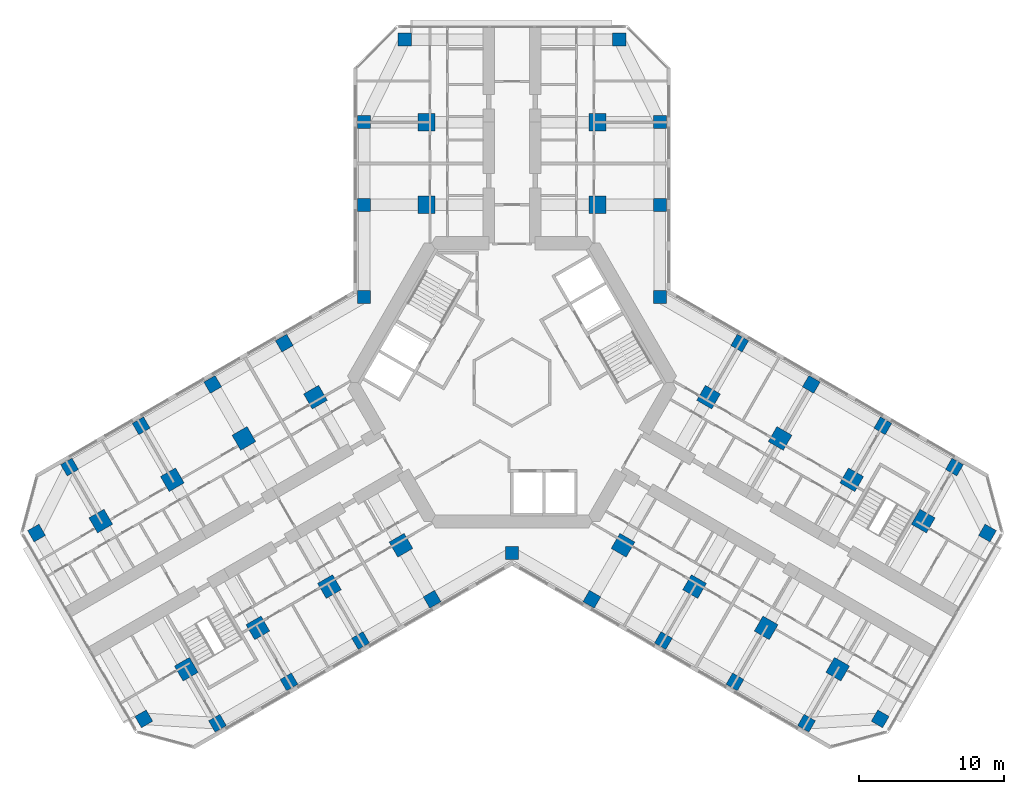
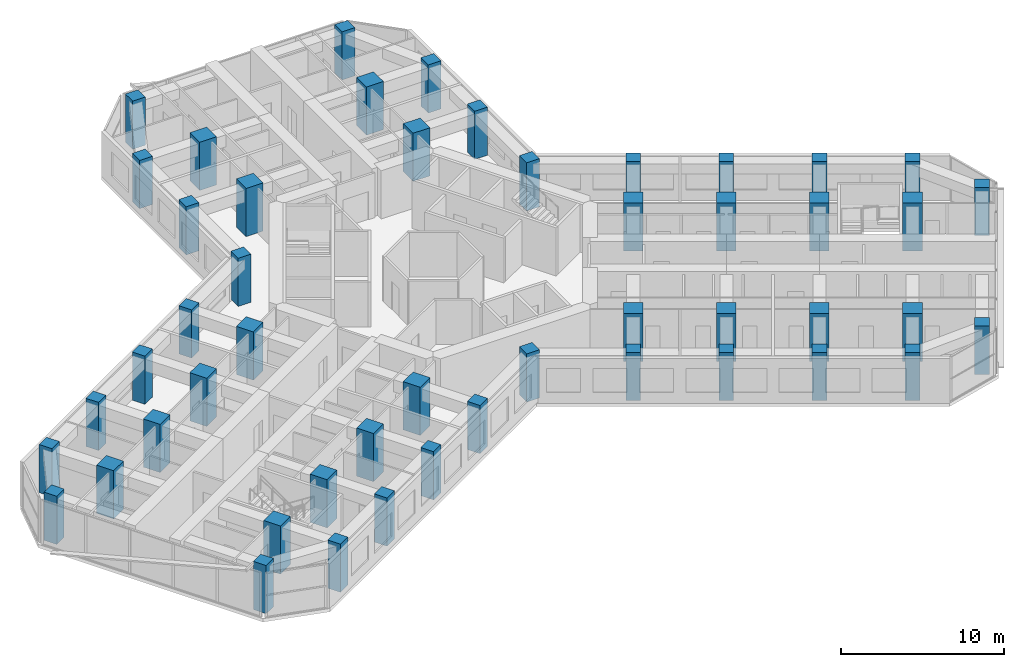
# One storey, part 1 of 19: 49 columns.
"""IFC4 building model written with IfcOpenShell, lengths in metres."""

from ifc_helpers import new_model, si_unit, direction, frame, origin, origin_2d, place, context, subcontext, project, spatial, rectangle, extrude, material, material_profile, profile_set, type_object, element, save


model = new_model("IFC4")

# Units and contexts
model_context = context("Model", 3, precision=1e-05, world=origin(), true_north=direction((0.0, 1.0)))
body_context = subcontext(model_context, "Body", "Model", "MODEL_VIEW")
ifc_project = project(units=[si_unit("LENGTHUNIT", "METRE"), si_unit("AREAUNIT", "SQUARE_METRE"), si_unit("VOLUMEUNIT", "CUBIC_METRE"), si_unit("PLANEANGLEUNIT", "RADIAN"), si_unit("MASSUNIT", "GRAM", prefix="KILO")], contexts=[model_context])

# Site, building, storey
site_placement = place(None, origin())
site = spatial("IfcSite", under=ifc_project, at=site_placement, CompositionType="ELEMENT")
building_placement = place(site_placement, origin())
building = spatial("IfcBuilding", under=site, at=building_placement, Name="Kosmar Iwan School Tower", CompositionType="ELEMENT")
storey_placement = place(building_placement, frame((0.0, 0.0, 168.800048828125)))
storey = spatial("IfcBuildingStorey", under=building, at=storey_placement, Name="L42", CompositionType="ELEMENT", Elevation=168.800048828125)

# Columns
ifc_material_1 = material(Name="Concrete C50/60", Category="concrete")
ifc_material_profile_1 = material_profile(ifc_material_1, rectangle(XDim=0.89990234375, YDim=0.89990234375, at=origin_2d()), Name="RC 900x900 + HD 400x347")
ifc_profile_set_1 = profile_set([ifc_material_profile_1], Name="Concrete C50/60")
column_type_1 = type_object("IfcColumnType", Name="Composite column 900x900 HD 400x347", PredefinedType="COLUMN", material=ifc_profile_set_1)
for number, where, z_axis, x_axis, name in (
    (1, (-10.199951171875, 12.25, 0.0), (0.0, 0.0, 1.0), (0.0, 1.0, 0.0), "Column AL1 L42"),
    (2, (-10.199951171875, 17.949951171875, 0.0), (0.0, 0.0, 1.0), (0.0, 1.0, 0.0), "Column AL2 L42"),
    (3, (-7.39990234375, 23.64990234375, 0.0), (0.0, 0.0, 1.0), (0.0, 1.0, 0.0), "Column ALTIP L42"),
    (4, (10.199951171875, 12.25, 0.0), (0.0, 0.0, 1.0), (0.0, 1.0, 0.0), "Column AR1 L42"),
    (5, (10.199951171875, 17.949951171875, 0.0), (0.0, 0.0, 1.0), (0.0, 1.0, 0.0), "Column AR2 L42"),
    (6, (7.39990234375, 23.64990234375, 0.0), (0.0, 0.0, 1.0), (0.0, 1.0, 0.0), "Column ARTIP L42"),
    (7, (-5.5087890625, -14.95849609375, 0.0), (0.0, 0.0, 1.0), (-0.866025403784, -0.5, 0.0), "Column BL1 L42"),
    (8, (-10.445068359375, -17.808349609375, 0.0), (0.0, 0.0, 1.0), (-0.866025403784, -0.5, 0.0), "Column BL2 L42"),
    (9, (-15.381591796875, -20.658447265625, 0.0), (0.0, 0.0, 1.0), (-0.866025403784, -0.5, 0.0), "Column BL3 L42"),
    (10, (-20.31787109375, -23.508544921875, 0.0), (0.0, 0.0, 1.0), (-0.866025403784, -0.5, 0.0), "Column BL4 L42"),
    (11, (-25.3984375, -23.20849609375, 0.0), (0.0, 0.0, 1.0), (-0.866025403784, -0.5, 0.0), "Column BLTIP L42"),
    (12, (-15.708740234375, 2.70849609375, 0.0), (0.0, 0.0, 1.0), (-0.866025403784, -0.5, 0.0), "Column BR1 L42"),
    (13, (-20.645263671875, -0.1416015625, 0.0), (0.0, 0.0, 1.0), (-0.866025403784, -0.5, 0.0), "Column BR2 L42"),
    (14, (-25.58154296875, -2.991455078125, 0.0), (0.0, 0.0, 1.0), (-0.866025403784, -0.5, 0.0), "Column BR3 L42"),
    (15, (-30.517822265625, -5.841552734375, 0.0), (0.0, 0.0, 1.0), (-0.866025403784, -0.5, 0.0), "Column BR4 L42"),
    (16, (-32.79833984375, -10.391357421875, 0.0), (0.0, 0.0, 1.0), (-0.866025403784, -0.5, 0.0), "Column BRTIP L42"),
    (17, (15.708740234375, 2.70849609375, 0.0), (0.0, 0.0, 1.0), (0.866025403784, -0.5, 0.0), "Column CL1 L42"),
    (18, (20.645263671875, -0.1416015625, 0.0), (0.0, 0.0, 1.0), (0.866025403784, -0.5, 0.0), "Column CL2 L42"),
    (19, (25.58154296875, -2.991455078125, 0.0), (0.0, 0.0, 1.0), (0.866025403784, -0.5, 0.0), "Column CL3 L42"),
    (20, (30.517822265625, -5.841552734375, 0.0), (0.0, 0.0, 1.0), (0.866025403784, -0.5, 0.0), "Column CL4 L42"),
    (21, (32.79833984375, -10.391357421875, 0.0), (0.0, 0.0, 1.0), (0.866025403784, -0.5, 0.0), "Column CLTIP L42"),
    (22, (5.5087890625, -14.95849609375, 0.0), (0.0, 0.0, 1.0), (0.866025403784, -0.5, 0.0), "Column CR1 L42"),
    (23, (10.445068359375, -17.808349609375, 0.0), (0.0, 0.0, 1.0), (0.866025403784, -0.5, 0.0), "Column CR2 L42"),
    (24, (15.381591796875, -20.658447265625, 0.0), (0.0, 0.0, 1.0), (0.866025403784, -0.5, 0.0), "Column CR3 L42"),
    (25, (20.31787109375, -23.508544921875, 0.0), (0.0, 0.0, 1.0), (0.866025403784, -0.5, 0.0), "Column CR4 L42"),
    (26, (25.3984375, -23.20849609375, 0.0), (0.0, 0.0, 1.0), (0.866025403784, -0.5, 0.0), "Column CRTIP L42"),
    (27, (-10.199951171875, 5.888916015625, 0.0), (0.0, 0.0, 1.0), (1.0, 0.0, 0.0), "Column RAB L42"),
    (28, (10.199951171875, 5.888916015625, 0.0), (0.0, 0.0, 1.0), (1.0, 0.0, 0.0), "Column RAC L42"),
    (29, (0.0, -11.77783203125, 0.0), (0.0, 0.0, 1.0), (1.0, 0.0, 0.0), "Column RBC L42"),
):
    element("IfcColumn", number, at=place(storey_placement, frame(where, z_axis=z_axis, x_axis=x_axis)), inside=storey, type_object=column_type_1, Name=name, PredefinedType="COLUMN", context=body_context, shape_type="SweptSolid", body=[
        extrude(rectangle(XDim=0.89990234375, YDim=0.89990234375, at=origin_2d()), origin(), (0.0, 0.0, 1.0), 3.599853515625),
    ])
ifc_material_2 = material(Name="Concrete C50/60", Category="concrete")
ifc_material_profile_2 = material_profile(ifc_material_2, rectangle(XDim=1.199951171875, YDim=1.199951171875, at=origin_2d()), Name="RC 1200x1200")
ifc_profile_set_2 = profile_set([ifc_material_profile_2], Name="Concrete C50/60")
column_type_2 = type_object("IfcColumnType", Name="RC interior column 1200x1200", PredefinedType="COLUMN", material=ifc_profile_set_2)
for number, where, z_axis, x_axis, name in (
    (30, (-5.89990234375, 12.25, 0.0), (0.0, 0.0, 1.0), (0.0, 1.0, 0.0), "Interior column ALI1 L42"),
    (31, (-5.89990234375, 17.949951171875, 0.0), (0.0, 0.0, 1.0), (0.0, 1.0, 0.0), "Interior column ALI2 L42"),
    (32, (5.89990234375, 12.25, 0.0), (0.0, 0.0, 1.0), (0.0, 1.0, 0.0), "Interior column ARI1 L42"),
    (33, (5.89990234375, 17.949951171875, 0.0), (0.0, 0.0, 1.0), (0.0, 1.0, 0.0), "Interior column ARI2 L42"),
    (34, (-7.65869140625, -11.234619140625, 0.0), (0.0, 0.0, 1.0), (-0.866025403784, -0.5, 0.0), "Interior column BLI1 L42"),
    (35, (-12.59521484375, -14.08447265625, 0.0), (0.0, 0.0, 1.0), (-0.866025403784, -0.5, 0.0), "Interior column BLI2 L42"),
    (36, (-17.531494140625, -16.9345703125, 0.0), (0.0, 0.0, 1.0), (-0.866025403784, -0.5, 0.0), "Interior column BLI3 L42"),
    (37, (-22.4677734375, -19.78466796875, 0.0), (0.0, 0.0, 1.0), (-0.866025403784, -0.5, 0.0), "Interior column BLI4 L42"),
    (38, (-13.558837890625, -1.015380859375, 0.0), (0.0, 0.0, 1.0), (-0.866025403784, -0.5, 0.0), "Interior column BRI1 L42"),
    (39, (-18.4951171875, -3.865478515625, 0.0), (0.0, 0.0, 1.0), (-0.866025403784, -0.5, 0.0), "Interior column BRI2 L42"),
    (40, (-23.431396484375, -6.71533203125, 0.0), (0.0, 0.0, 1.0), (-0.866025403784, -0.5, 0.0), "Interior column BRI3 L42"),
    (41, (-28.367919921875, -9.5654296875, 0.0), (0.0, 0.0, 1.0), (-0.866025403784, -0.5, 0.0), "Interior column BRI4 L42"),
    (42, (13.558837890625, -1.015380859375, 0.0), (0.0, 0.0, 1.0), (0.866025403784, -0.5, 0.0), "Interior column CLI1 L42"),
    (43, (18.4951171875, -3.865478515625, 0.0), (0.0, 0.0, 1.0), (0.866025403784, -0.5, 0.0), "Interior column CLI2 L42"),
    (44, (23.431396484375, -6.71533203125, 0.0), (0.0, 0.0, 1.0), (0.866025403784, -0.5, 0.0), "Interior column CLI3 L42"),
    (45, (28.367919921875, -9.5654296875, 0.0), (0.0, 0.0, 1.0), (0.866025403784, -0.5, 0.0), "Interior column CLI4 L42"),
    (46, (7.65869140625, -11.234619140625, 0.0), (0.0, 0.0, 1.0), (0.866025403784, -0.5, 0.0), "Interior column CRI1 L42"),
    (47, (12.59521484375, -14.08447265625, 0.0), (0.0, 0.0, 1.0), (0.866025403784, -0.5, 0.0), "Interior column CRI2 L42"),
    (48, (17.531494140625, -16.9345703125, 0.0), (0.0, 0.0, 1.0), (0.866025403784, -0.5, 0.0), "Interior column CRI3 L42"),
    (49, (22.4677734375, -19.78466796875, 0.0), (0.0, 0.0, 1.0), (0.866025403784, -0.5, 0.0), "Interior column CRI4 L42"),
):
    element("IfcColumn", number, at=place(storey_placement, frame(where, z_axis=z_axis, x_axis=x_axis)), inside=storey, type_object=column_type_2, Name=name, PredefinedType="COLUMN", context=body_context, shape_type="SweptSolid", body=[
        extrude(rectangle(XDim=1.199951171875, YDim=1.199951171875, at=origin_2d()), origin(), (0.0, 0.0, 1.0), 3.599853515625),
    ])

save(model, "model.ifc")
